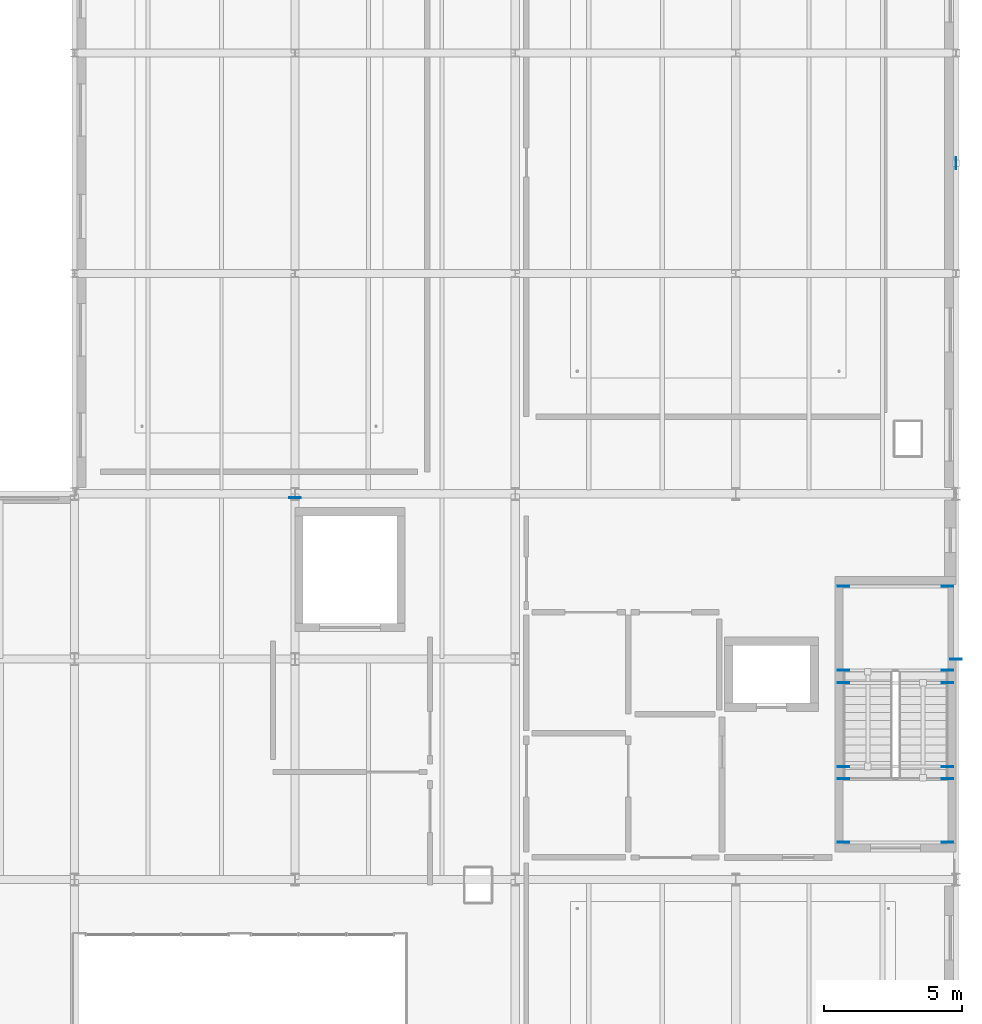
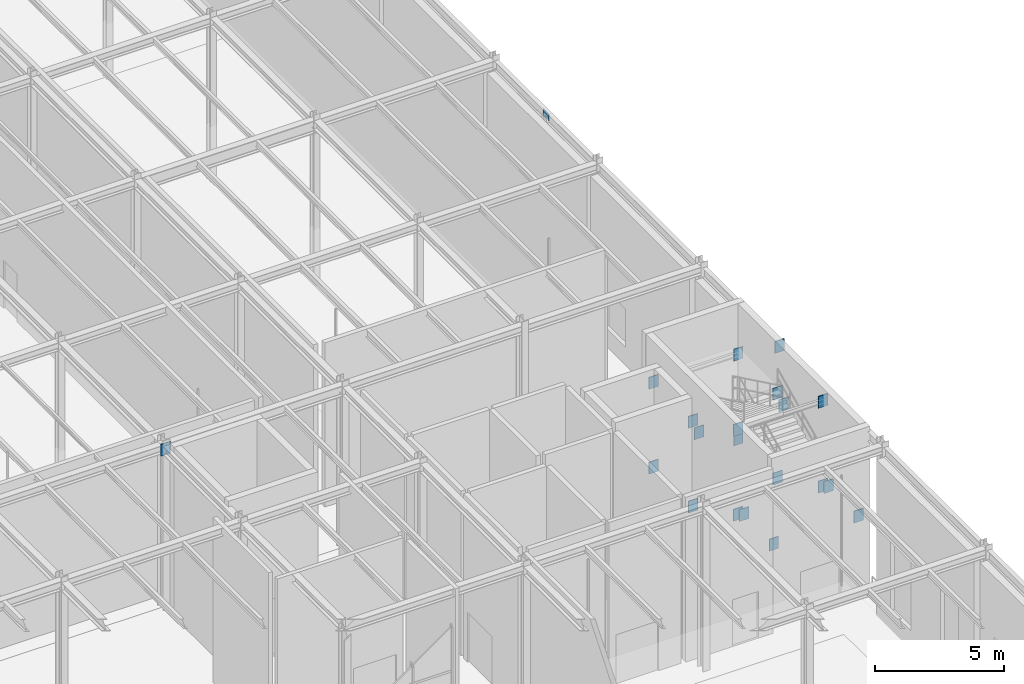
# One storey, part 88 of 138: 21 plates.
"""IFC4 building model written with IfcOpenShell, lengths in metres."""

import ifcopenshell
import ifcopenshell.guid

model = None  # the IFC model being written
_history = None  # IfcOwnerHistory: only IFC2X3 demands one
_inside = {}  # id of a spatial element -> (the spatial element, [elements in it])
_under = {}  # id of a project, library or spatial element -> (it, [spatial elements below it])
_declared = {}  # id of a project -> (the project, [libraries it declares])
_typed = {}  # id of a type object -> (the type object, [elements of that type])
_made_of = {}  # id of a material, layer set ... -> (it, [elements and type objects made of it])


def new_model(schema):
    """Start an empty IFC model of exactly this schema.

    Asked for "IFC4X3", IfcOpenShell would pick the latest addendum, in which some entities
    have other attributes; the version numbers below select the first issue.
    IFC2X3 requires an IfcOwnerHistory on every rooted entity: one is made here for all.
    """
    global model, _history
    if schema == "IFC4X3":
        model = ifcopenshell.file(schema_version=(4, 3, 0, 0))
    else:
        model = ifcopenshell.file(schema=schema)
    _inside.clear()
    _under.clear()
    _declared.clear()
    _typed.clear()
    _made_of.clear()
    _history = None
    if model.schema == "IFC2X3":
        org = make("IfcOrganization", Name="unknown")
        user = make(
            "IfcPersonAndOrganization",
            ThePerson=make("IfcPerson", FamilyName="unknown"),
            TheOrganization=org,
        )
        app = make(
            "IfcApplication",
            ApplicationDeveloper=org,
            Version="unknown",
            ApplicationFullName="unknown",
            ApplicationIdentifier="unknown",
        )
        _history = make(
            "IfcOwnerHistory",
            OwningUser=user,
            OwningApplication=app,
            ChangeAction="ADDED",
            CreationDate=0,
        )
    return model


def make(cls, **values):
    """One entity of the class cls with the attributes given. An attribute that is None is left unset."""
    return model.create_entity(
        cls, **{name: value for name, value in values.items() if value is not None}
    )


def rooted(cls, **values):
    """An entity with a GlobalId (a new one), such as an element, a storey or a relation."""
    return make(cls, GlobalId=ifcopenshell.guid.new(), OwnerHistory=_history, **values)


def si_unit(unit_type, name, prefix=None):
    """IfcSIUnit, for example si_unit("LENGTHUNIT", "METRE", prefix="MILLI")."""
    return make("IfcSIUnit", UnitType=unit_type, Prefix=prefix, Name=name)


def assignment(units):
    """IfcUnitAssignment: the units of a project."""
    return None if units is None else make("IfcUnitAssignment", Units=units)


def point(xyz):
    """IfcCartesianPoint."""
    return None if xyz is None else make("IfcCartesianPoint", Coordinates=xyz)


def direction(xyz):
    """IfcDirection."""
    return None if xyz is None else make("IfcDirection", DirectionRatios=xyz)


def frame(location, z_axis=None, x_axis=None):
    """IfcAxis2Placement3D, a coordinate frame: its origin and axes. An axis left out is left unset."""
    return make(
        "IfcAxis2Placement3D",
        Location=point(location),
        Axis=direction(z_axis),
        RefDirection=direction(x_axis),
    )


def frame_2d(location, x_axis=None):
    """IfcAxis2Placement2D, a coordinate frame in the plane: its origin and x axis."""
    return make(
        "IfcAxis2Placement2D", Location=point(location), RefDirection=direction(x_axis)
    )


def origin():
    """The frame at (0, 0, 0) with its axes left unset."""
    return frame((0.0, 0.0, 0.0))


def origin_2d():
    """The frame at (0, 0) in the plane with its x axis left unset."""
    return frame_2d((0.0, 0.0))


def place(relative_to, where):
    """IfcLocalPlacement: puts the frame where relative to a parent placement (None: the world)."""
    return make(
        "IfcLocalPlacement", PlacementRelTo=relative_to, RelativePlacement=where
    )


def context(
    kind, dimensions, precision=None, world=None, true_north=None, identifier=None
):
    """IfcGeometricRepresentationContext, for example the 3D "Model" context."""
    return make(
        "IfcGeometricRepresentationContext",
        ContextIdentifier=identifier,
        ContextType=kind,
        CoordinateSpaceDimension=dimensions,
        Precision=precision,
        WorldCoordinateSystem=world,
        TrueNorth=true_north,
    )


def subcontext(parent, identifier, kind, view, scale=None):
    """IfcGeometricRepresentationSubContext, for example "Body" below "Model"."""
    return make(
        "IfcGeometricRepresentationSubContext",
        ContextIdentifier=identifier,
        ContextType=kind,
        ParentContext=parent,
        TargetScale=scale,
        TargetView=view,
    )


def project(units=None, contexts=None):
    """IfcProject with its units and contexts."""
    return rooted(
        "IfcProject",
        Name="project",
        RepresentationContexts=contexts,
        UnitsInContext=assignment(units),
    )


def spatial(cls, under=None, at=None, **own):
    """A site, building, storey or space (cls), placed at a placement, below another one or the project."""
    s = rooted(cls, ObjectPlacement=at, **own)
    if under is not None:
        _under.setdefault(under.id(), (under, []))[1].append(s)
    return s


def profile(cls, at=None, kind="AREA", **sizes):
    """A parametric profile (cls). Its sizes go by their IFC names, for example OverallWidth=200.0."""
    return make(cls, ProfileType=kind, Position=at, **sizes)


def rectangle(**sizes):
    """IfcRectangleProfileDef."""
    return profile("IfcRectangleProfileDef", **sizes)


def extrude(swept, where, along, depth):
    """IfcExtrudedAreaSolid: the profile swept, set in the frame where, extruded along a direction by depth."""
    return make(
        "IfcExtrudedAreaSolid",
        SweptArea=swept,
        Position=where,
        ExtrudedDirection=direction(along),
        Depth=depth,
    )


def shape(context_of_items, identifier, shape_type, items):
    """IfcShapeRepresentation: the items that make up one representation, for example the "Body"."""
    return make(
        "IfcShapeRepresentation",
        ContextOfItems=context_of_items,
        RepresentationIdentifier=identifier,
        RepresentationType=shape_type,
        Items=items,
    )


def material(Name=None, Category=None):
    """IfcMaterial."""
    return make("IfcMaterial", Name=Name, Category=Category)


def layer(
    of_material, thickness, ventilated=None, Name=None, Category=None, Priority=None
):
    """IfcMaterialLayer: one layer of a wall or slab, of a material (None: an air gap)."""
    return make(
        "IfcMaterialLayer",
        Material=of_material,
        LayerThickness=thickness,
        IsVentilated=ventilated,
        Name=Name,
        Category=Category,
        Priority=Priority,
    )


def layer_set(layers, Name=None):
    """IfcMaterialLayerSet."""
    return make("IfcMaterialLayerSet", MaterialLayers=layers, LayerSetName=Name)


def made_of(thing, what):
    """Note that an element or type object is made of a material, layer set ...; save() writes the relation."""
    if what is not None:
        _made_of.setdefault(what.id(), (what, []))[1].append(thing)
    return thing


def type_object(cls, material=None, **own):
    """A type object (cls), such as IfcWallType, which elements share."""
    return made_of(rooted(cls, **own), material)


def element(
    cls,
    number,
    at=None,
    inside=None,
    cuts=None,
    type_object=None,
    material=None,
    context=None,
    identifier="Body",
    shape_type=None,
    held_by="IfcProductDefinitionShape",
    body=None,
    shapes=None,
    **own,
):
    """One element of the class cls, such as IfcWall. Its Tag is "e" and its number.

    at: its placement. inside: the storey or other place that contains it. cuts: it is an
    opening in that element (IfcRelVoidsElement). A single representation is given by context,
    identifier, shape_type and body (its items); several are given by shapes. held_by: the class
    of the entity that holds the representations. save() writes the other relations.
    """
    e = rooted(cls, Tag="e%d" % number, ObjectPlacement=at, **own)
    if body is not None:
        shapes = [shape(context, identifier, shape_type, body)]
    if shapes is not None:
        e.Representation = make(held_by, Representations=shapes)
    if inside is not None:
        _inside.setdefault(inside.id(), (inside, []))[1].append(e)
    if cuts is not None:
        rooted(
            "IfcRelVoidsElement", RelatingBuildingElement=cuts, RelatedOpeningElement=e
        )
    if type_object is not None:
        _typed.setdefault(type_object.id(), (type_object, []))[1].append(e)
    return made_of(e, material)


def aggregate(whole, parts):
    """IfcRelAggregates: a whole, such as a stair, and the parts it consists of."""
    return rooted("IfcRelAggregates", RelatingObject=whole, RelatedObjects=parts)


def save(model, path):
    """Write the relations noted so far, then the file.

    IfcRelAggregates (storeys below a building ...), IfcRelContainedInSpatialStructure (elements
    in a storey), IfcRelDefinesByType, IfcRelAssociatesMaterial and IfcRelDeclares: one each for
    every whole, place, type object, material and project.
    """
    for whole, parts in _under.values():
        aggregate(whole, parts)
    for where, things in _inside.values():
        rooted(
            "IfcRelContainedInSpatialStructure",
            RelatedElements=things,
            RelatingStructure=where,
        )
    for kind, things in _typed.values():
        rooted("IfcRelDefinesByType", RelatedObjects=things, RelatingType=kind)
    for what, things in _made_of.values():
        rooted("IfcRelAssociatesMaterial", RelatedObjects=things, RelatingMaterial=what)
    for by, libraries in _declared.values():
        rooted("IfcRelDeclares", RelatingContext=by, RelatedDefinitions=libraries)
    model.write(path)


model = new_model("IFC4")

# Units and contexts
model_context = context("Model", 3, precision=1e-05, world=origin(), true_north=direction((0.0, 1.0)))
body_context = subcontext(model_context, "Body", "Model", "MODEL_VIEW")
ifc_project = project(units=[si_unit("LENGTHUNIT", "METRE"), si_unit("AREAUNIT", "SQUARE_METRE"), si_unit("VOLUMEUNIT", "CUBIC_METRE"), si_unit("PLANEANGLEUNIT", "RADIAN"), si_unit("MASSUNIT", "GRAM", prefix="KILO")], contexts=[model_context])

# Site, building, storey
site_placement = place(None, origin())
site = spatial("IfcSite", under=ifc_project, at=site_placement, CompositionType="ELEMENT")
building_placement = place(site_placement, origin())
building = spatial("IfcBuilding", under=site, at=building_placement, Name="Sundkrona Museum", CompositionType="ELEMENT")
storey_placement = place(building_placement, frame((0.0, 0.0, 9.60009765625)))
storey = spatial("IfcBuildingStorey", under=building, at=storey_placement, Name="L02", CompositionType="ELEMENT", Elevation=9.60009765625)

# Plates
ifc_material = material(Name="Steel S355J2", Category="steel")
ifc_layer_1 = layer(ifc_material, 0.034912109375)
ifc_layer_set_1 = layer_set([ifc_layer_1], Name="Steel S355J2")
plate_type_1 = type_object("IfcPlateType", Name="EP-1", PredefinedType="USERDEFINED", material=ifc_layer_set_1)
for number, where, z_axis, x_axis, name in (
    (1, (168.0, 40.0, 7.2548828125), (0.0, 0.0, 1.0), (1.0, 0.0, 0.0), "Core Wall Cast-In Embed Plate BM-L02-Y-1399-2"),
    (2, (163.909912109375, 39.598388671875, 1.39990234375), (0.0, 0.0, 1.0), (1.0, 0.0, 0.0), "Core Wall Cast-In Embed Plate BM-STLD-ST-1-L02-1A-1"),
    (3, (167.68994140625, 39.598388671875, 1.39990234375), (0.0, 0.0, 1.0), (1.0, 0.0, 0.0), "Core Wall Cast-In Embed Plate BM-STLD-ST-1-L02-1A-2"),
    (4, (163.909912109375, 42.63671875, 1.39990234375), (0.0, 0.0, 1.0), (1.0, 0.0, 0.0), "Core Wall Cast-In Embed Plate BM-STLD-ST-1-L02-1B-1"),
    (5, (167.68994140625, 42.63671875, 1.39990234375), (0.0, 0.0, 1.0), (1.0, 0.0, 0.0), "Core Wall Cast-In Embed Plate BM-STLD-ST-1-L02-1B-2"),
    (6, (163.909912109375, 33.347900390625, 3.39990234375), (0.0, 0.0, 1.0), (1.0, 0.0, 0.0), "Core Wall Cast-In Embed Plate BM-STLD-ST-1-L02-2A-1"),
    (7, (167.68994140625, 33.347900390625, 3.39990234375), (0.0, 0.0, 1.0), (1.0, 0.0, 0.0), "Core Wall Cast-In Embed Plate BM-STLD-ST-1-L02-2A-2"),
    (8, (163.909912109375, 35.652099609375, 3.39990234375), (0.0, 0.0, 1.0), (1.0, 0.0, 0.0), "Core Wall Cast-In Embed Plate BM-STLD-ST-1-L02-2B-1"),
    (9, (167.68994140625, 35.652099609375, 3.39990234375), (0.0, 0.0, 1.0), (1.0, 0.0, 0.0), "Core Wall Cast-In Embed Plate BM-STLD-ST-1-L02-2B-2"),
    (10, (163.909912109375, 39.598388671875, 5.39990234375), (0.0, 0.0, 1.0), (1.0, 0.0, 0.0), "Core Wall Cast-In Embed Plate BM-STLD-ST-1-L02-3A-1"),
    (11, (167.68994140625, 39.598388671875, 5.39990234375), (0.0, 0.0, 1.0), (1.0, 0.0, 0.0), "Core Wall Cast-In Embed Plate BM-STLD-ST-1-L02-3A-2"),
    (12, (163.909912109375, 42.63671875, 5.39990234375), (0.0, 0.0, 1.0), (1.0, 0.0, 0.0), "Core Wall Cast-In Embed Plate BM-STLD-ST-1-L02-3B-1"),
    (13, (167.68994140625, 42.63671875, 5.39990234375), (0.0, 0.0, 1.0), (1.0, 0.0, 0.0), "Core Wall Cast-In Embed Plate BM-STLD-ST-1-L02-3B-2"),
    (14, (163.909912109375, 36.10009765625, 3.143798828125), (0.0, 0.0, 1.0), (1.0, 0.0, 0.0), "Core Wall Cast-In Embed Plate BM-STHD-ST-1-L02-2-1"),
    (15, (167.68994140625, 36.10009765625, 3.143798828125), (0.0, 0.0, 1.0), (1.0, 0.0, 0.0), "Core Wall Cast-In Embed Plate BM-STHD-ST-1-L02-2-2"),
    (16, (163.909912109375, 39.135009765625, 5.143798828125), (0.0, 0.0, 1.0), (1.0, 0.0, 0.0), "Core Wall Cast-In Embed Plate BM-STHD-ST-1-L02-3-1"),
    (17, (167.68994140625, 39.135009765625, 5.143798828125), (0.0, 0.0, 1.0), (1.0, 0.0, 0.0), "Core Wall Cast-In Embed Plate BM-STHD-ST-1-L02-3-2"),
    (18, (163.909912109375, 36.10009765625, 7.143798828125), (0.0, 0.0, 1.0), (1.0, 0.0, 0.0), "Core Wall Cast-In Embed Plate BM-STHD-ST-1-L02-4-1"),
    (19, (167.68994140625, 36.10009765625, 7.143798828125), (0.0, 0.0, 1.0), (1.0, 0.0, 0.0), "Core Wall Cast-In Embed Plate BM-STHD-ST-1-L02-4-2"),
    (20, (144.0, 45.85009765625, 7.264892578125), (0.0, 0.0, 1.0), (1.0, 0.0, 0.0), "Structural Wall Cast-In Embed Plate BM-L02-Y-1358-2"),
):
    element("IfcPlate", number, at=place(storey_placement, frame(where, z_axis=z_axis, x_axis=x_axis)), inside=storey, type_object=plate_type_1, Name=name, ObjectType="GUSSET PLATE", PredefinedType="USERDEFINED", context=body_context, shape_type="SweptSolid", body=[
        extrude(rectangle(XDim=0.419921875, YDim=0.034912109375, at=origin_2d()), origin(), (0.0, 0.0, 1.0), 0.56005859375),
    ])
ifc_layer_2 = layer(ifc_material, 0.02197265625)
ifc_layer_set_2 = layer_set([ifc_layer_2], Name="Steel S355J2")
plate_type_2 = type_object("IfcPlateType", Name="GP-5", PredefinedType="USERDEFINED", material=ifc_layer_set_2)
plate_placement = place(storey_placement, frame((168.0, 58.0, 7.364990234375), z_axis=(0.0, 0.0, 1.0), x_axis=(0.0, 1.0, 0.0)))
element("IfcPlate", 21, at=plate_placement, inside=storey, type_object=plate_type_2, Name="L02 Chevron Apex Gusset Plate 028", ObjectType="GUSSET PLATE", PredefinedType="USERDEFINED", context=body_context, shape_type="SweptSolid", body=[
    extrude(rectangle(XDim=0.43994140625, YDim=0.02197265625, at=origin_2d()), origin(), (0.0, 0.0, 1.0), 0.31005859375),
])

save(model, "model.ifc")
